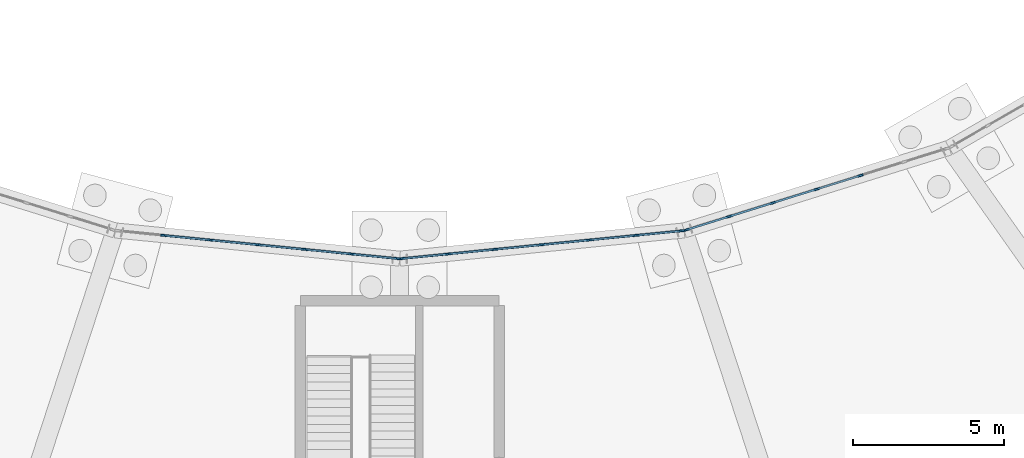
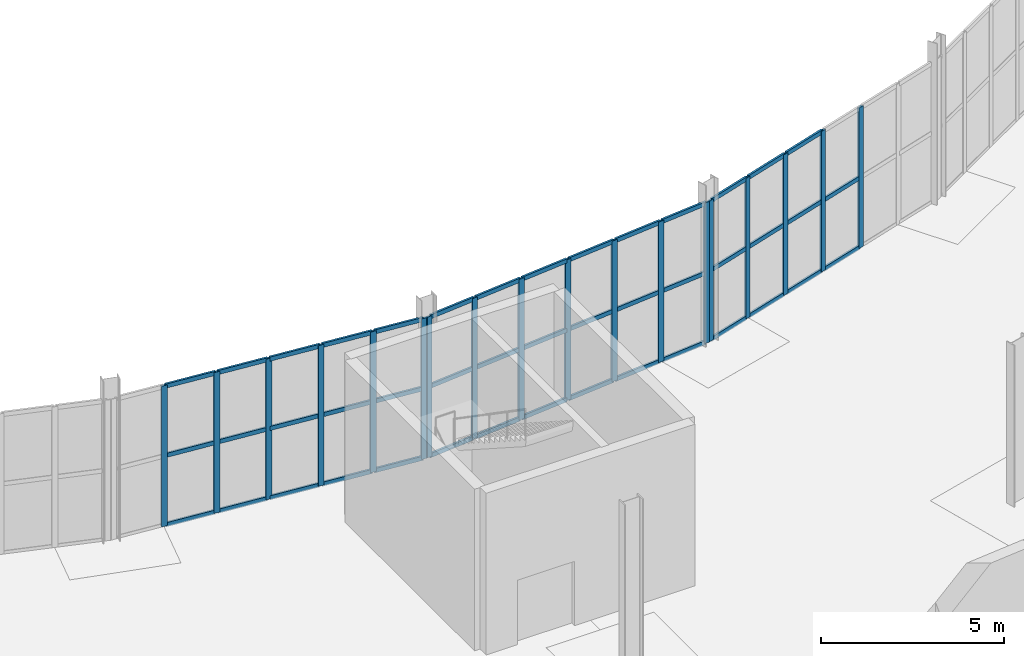
# One storey, part 58 of 118: 62 members, 3 elements without a shape of their own.
"""IFC4 building model written with IfcOpenShell, lengths in metres."""

from ifc_helpers import new_model, si_unit, direction, frame, origin, origin_2d, place, context, subcontext, project, spatial, rectangle, extrude, material, material_profile, profile_set, type_object, element, aggregate, save


model = new_model("IFC4")

# Units and contexts
model_context = context("Model", 3, precision=1e-05, world=origin(), true_north=direction((0.0, 1.0)))
body_context = subcontext(model_context, "Body", "Model", "MODEL_VIEW")
ifc_project = project(units=[si_unit("LENGTHUNIT", "METRE"), si_unit("AREAUNIT", "SQUARE_METRE"), si_unit("VOLUMEUNIT", "CUBIC_METRE"), si_unit("PLANEANGLEUNIT", "RADIAN"), si_unit("MASSUNIT", "GRAM", prefix="KILO")], contexts=[model_context])

# Site, building, storey
site_placement = place(None, origin())
site = spatial("IfcSite", under=ifc_project, at=site_placement, CompositionType="ELEMENT")
building_placement = place(site_placement, origin())
building = spatial("IfcBuilding", under=site, at=building_placement, Name="Kildeholm Park Wholesale Market", CompositionType="ELEMENT")
storey_placement = place(building_placement, origin())
storey = spatial("IfcBuildingStorey", under=building, at=storey_placement, Name="L00", CompositionType="ELEMENT", Elevation=0.0)

# Curtain wall, members
ifc_material_1 = material(Name="Anodised aluminium and low-E double-glazed glass", Category="aluminium")
curtain_wall_type = type_object("IfcCurtainWallType", Name="Market hall glazed arcade stick curtain wall CW-01", PredefinedType="NOTDEFINED", material=ifc_material_1)
curtain_wall_1_placement = place(storey_placement, origin())
curtain_wall_1 = element("IfcCurtainWall", 1, at=curtain_wall_1_placement, inside=storey, type_object=curtain_wall_type, Name="Curtain wall CW-V1-IN0-17 CW-0086", PredefinedType="NOTDEFINED")
ifc_material_2 = material(Name="Anodised aluminium", Category="aluminium")
ifc_material_profile_1 = material_profile(ifc_material_2, rectangle(XDim=0.06494140625, YDim=0.179931640625, at=origin_2d()), Name="CWM 65x180")
ifc_profile_set_1 = profile_set([ifc_material_profile_1], Name="Anodised aluminium")
member_type_1 = type_object("IfcMemberType", Name="Curtain-wall mullion CWM-1 CWM 65x180", PredefinedType="MULLION", material=ifc_profile_set_1)
member_1_placement = place(storey_placement, frame((91.1533203125, 62.774169921875, 0.0), z_axis=(0.0, 0.0, 1.0), x_axis=(0.098683331174, 0.995118887444, 0.0)))
member_1 = element("IfcMember", 2, at=member_1_placement, type_object=member_type_1, Name="CW-01 mullion 2 MEM-2748", PredefinedType="MULLION", context=body_context, shape_type="SweptSolid", body=[
    extrude(rectangle(XDim=0.06494140625, YDim=0.179931640625, at=origin_2d()), origin(), (0.0, 0.0, 1.0), 4.699951171875),
])
member_2_placement = place(storey_placement, frame((92.714599609375, 62.619384765625, 0.0), z_axis=(0.0, 0.0, 1.0), x_axis=(0.098683331174, 0.995118887444, 0.0)))
member_2 = element("IfcMember", 3, at=member_2_placement, type_object=member_type_1, Name="CW-01 mullion 3 MEM-2749", PredefinedType="MULLION", context=body_context, shape_type="SweptSolid", body=[
    extrude(rectangle(XDim=0.06494140625, YDim=0.179931640625, at=origin_2d()), origin(), (0.0, 0.0, 1.0), 4.699951171875),
])
member_3_placement = place(storey_placement, frame((94.27587890625, 62.464599609375, 0.0), z_axis=(0.0, 0.0, 1.0), x_axis=(0.098683331174, 0.995118887444, 0.0)))
member_3 = element("IfcMember", 4, at=member_3_placement, type_object=member_type_1, Name="CW-01 mullion 4 MEM-2750", PredefinedType="MULLION", context=body_context, shape_type="SweptSolid", body=[
    extrude(rectangle(XDim=0.06494140625, YDim=0.179931640625, at=origin_2d()), origin(), (0.0, 0.0, 1.0), 4.699951171875),
])
member_4_placement = place(storey_placement, frame((95.83740234375, 62.3095703125, 0.0), z_axis=(0.0, 0.0, 1.0), x_axis=(0.098683331174, 0.995118887444, 0.0)))
member_4 = element("IfcMember", 5, at=member_4_placement, type_object=member_type_1, Name="CW-01 mullion 5 MEM-2751", PredefinedType="MULLION", context=body_context, shape_type="SweptSolid", body=[
    extrude(rectangle(XDim=0.06494140625, YDim=0.179931640625, at=origin_2d()), origin(), (0.0, 0.0, 1.0), 4.699951171875),
])
member_5_placement = place(storey_placement, frame((97.398681640625, 62.15478515625, 0.0), z_axis=(0.0, 0.0, 1.0), x_axis=(0.098683331174, 0.995118887444, 0.0)))
member_5 = element("IfcMember", 6, at=member_5_placement, type_object=member_type_1, Name="CW-01 mullion 6 MEM-2752", PredefinedType="MULLION", context=body_context, shape_type="SweptSolid", body=[
    extrude(rectangle(XDim=0.06494140625, YDim=0.179931640625, at=origin_2d()), origin(), (0.0, 0.0, 1.0), 4.699951171875),
])
member_6_placement = place(storey_placement, frame((98.927734375, 62.003173828125, 0.0), z_axis=(0.0, 0.0, 1.0), x_axis=(0.098683331174, 0.995118887444, 0.0)))
member_6 = element("IfcMember", 7, at=member_6_placement, type_object=member_type_1, Name="CW-01 mullion 7 MEM-2753", PredefinedType="MULLION", context=body_context, shape_type="SweptSolid", body=[
    extrude(rectangle(XDim=0.06494140625, YDim=0.179931640625, at=origin_2d()), origin(), (0.0, 0.0, 1.0), 4.699951171875),
])

curtain_wall_2_placement = place(storey_placement, origin())
curtain_wall_2 = element("IfcCurtainWall", 8, at=curtain_wall_2_placement, inside=storey, type_object=curtain_wall_type, Name="Curtain wall CW-V1-IN0-18 CW-0091", PredefinedType="NOTDEFINED")
member_7_placement = place(storey_placement, frame((99.072265625, 62.003173828125, 0.0), z_axis=(0.0, 0.0, 1.0), x_axis=(-0.098683331174, 0.995118887444, 0.0)))
member_7 = element("IfcMember", 9, at=member_7_placement, type_object=member_type_1, Name="CW-01 mullion 1 MEM-2900", PredefinedType="MULLION", context=body_context, shape_type="SweptSolid", body=[
    extrude(rectangle(XDim=0.06494140625, YDim=0.179931640625, at=origin_2d()), origin(), (0.0, 0.0, 1.0), 4.699951171875),
])
member_8_placement = place(storey_placement, frame((100.601318359375, 62.15478515625, 0.0), z_axis=(0.0, 0.0, 1.0), x_axis=(-0.098683331174, 0.995118887444, 0.0)))
member_8 = element("IfcMember", 10, at=member_8_placement, type_object=member_type_1, Name="CW-01 mullion 2 MEM-2901", PredefinedType="MULLION", context=body_context, shape_type="SweptSolid", body=[
    extrude(rectangle(XDim=0.06494140625, YDim=0.179931640625, at=origin_2d()), origin(), (0.0, 0.0, 1.0), 4.699951171875),
])
member_9_placement = place(storey_placement, frame((102.16259765625, 62.3095703125, 0.0), z_axis=(0.0, 0.0, 1.0), x_axis=(-0.098683331174, 0.995118887444, 0.0)))
member_9 = element("IfcMember", 11, at=member_9_placement, type_object=member_type_1, Name="CW-01 mullion 3 MEM-2902", PredefinedType="MULLION", context=body_context, shape_type="SweptSolid", body=[
    extrude(rectangle(XDim=0.06494140625, YDim=0.179931640625, at=origin_2d()), origin(), (0.0, 0.0, 1.0), 4.699951171875),
])
member_10_placement = place(storey_placement, frame((103.72412109375, 62.464599609375, 0.0), z_axis=(0.0, 0.0, 1.0), x_axis=(-0.098683331174, 0.995118887444, 0.0)))
member_10 = element("IfcMember", 12, at=member_10_placement, type_object=member_type_1, Name="CW-01 mullion 4 MEM-2903", PredefinedType="MULLION", context=body_context, shape_type="SweptSolid", body=[
    extrude(rectangle(XDim=0.06494140625, YDim=0.179931640625, at=origin_2d()), origin(), (0.0, 0.0, 1.0), 4.699951171875),
])
member_11_placement = place(storey_placement, frame((105.285400390625, 62.619384765625, 0.0), z_axis=(0.0, 0.0, 1.0), x_axis=(-0.098683331174, 0.995118887444, 0.0)))
member_11 = element("IfcMember", 13, at=member_11_placement, type_object=member_type_1, Name="CW-01 mullion 5 MEM-2904", PredefinedType="MULLION", context=body_context, shape_type="SweptSolid", body=[
    extrude(rectangle(XDim=0.06494140625, YDim=0.179931640625, at=origin_2d()), origin(), (0.0, 0.0, 1.0), 4.699951171875),
])
member_12_placement = place(storey_placement, frame((106.8466796875, 62.774169921875, 0.0), z_axis=(0.0, 0.0, 1.0), x_axis=(-0.098683331174, 0.995118887444, 0.0)))
member_12 = element("IfcMember", 14, at=member_12_placement, type_object=member_type_1, Name="CW-01 mullion 6 MEM-2905", PredefinedType="MULLION", context=body_context, shape_type="SweptSolid", body=[
    extrude(rectangle(XDim=0.06494140625, YDim=0.179931640625, at=origin_2d()), origin(), (0.0, 0.0, 1.0), 4.699951171875),
])
member_13_placement = place(storey_placement, frame((108.375732421875, 62.92578125, 0.0), z_axis=(0.0, 0.0, 1.0), x_axis=(-0.098683331174, 0.995118887444, 0.0)))
member_13 = element("IfcMember", 15, at=member_13_placement, type_object=member_type_1, Name="CW-01 mullion 7 MEM-2906", PredefinedType="MULLION", context=body_context, shape_type="SweptSolid", body=[
    extrude(rectangle(XDim=0.06494140625, YDim=0.179931640625, at=origin_2d()), origin(), (0.0, 0.0, 1.0), 4.699951171875),
])

curtain_wall_3_placement = place(storey_placement, origin())
curtain_wall_3 = element("IfcCurtainWall", 16, at=curtain_wall_3_placement, inside=storey, type_object=curtain_wall_type, Name="Curtain wall CW-V1-IN0-19 CW-0096", PredefinedType="NOTDEFINED")
member_14_placement = place(storey_placement, frame((108.51806640625, 62.95458984375, 0.0), z_axis=(0.0, 0.0, 1.0), x_axis=(-0.297957339818, 0.954579186683, 0.0)))
member_14 = element("IfcMember", 17, at=member_14_placement, type_object=member_type_1, Name="CW-01 mullion 1 MEM-3049", PredefinedType="MULLION", context=body_context, shape_type="SweptSolid", body=[
    extrude(rectangle(XDim=0.06494140625, YDim=0.179931640625, at=origin_2d()), origin(), (0.0, 0.0, 1.0), 4.699951171875),
])
member_15_placement = place(storey_placement, frame((109.94140625, 63.39892578125, 0.0), z_axis=(0.0, 0.0, 1.0), x_axis=(-0.297957339818, 0.954579186683, 0.0)))
member_15 = element("IfcMember", 18, at=member_15_placement, type_object=member_type_1, Name="CW-01 mullion 2 MEM-3050", PredefinedType="MULLION", context=body_context, shape_type="SweptSolid", body=[
    extrude(rectangle(XDim=0.06494140625, YDim=0.179931640625, at=origin_2d()), origin(), (0.0, 0.0, 1.0), 4.699951171875),
])
member_16_placement = place(storey_placement, frame((111.39599609375, 63.85302734375, 0.0), z_axis=(0.0, 0.0, 1.0), x_axis=(-0.297957339818, 0.954579186683, 0.0)))
member_16 = element("IfcMember", 19, at=member_16_placement, type_object=member_type_1, Name="CW-01 mullion 3 MEM-3051", PredefinedType="MULLION", context=body_context, shape_type="SweptSolid", body=[
    extrude(rectangle(XDim=0.06494140625, YDim=0.179931640625, at=origin_2d()), origin(), (0.0, 0.0, 1.0), 4.699951171875),
])
member_17_placement = place(storey_placement, frame((112.8505859375, 64.306884765625, 0.0), z_axis=(0.0, 0.0, 1.0), x_axis=(-0.297957339818, 0.954579186683, 0.0)))
member_17 = element("IfcMember", 20, at=member_17_placement, type_object=member_type_1, Name="CW-01 mullion 4 MEM-3052", PredefinedType="MULLION", context=body_context, shape_type="SweptSolid", body=[
    extrude(rectangle(XDim=0.06494140625, YDim=0.179931640625, at=origin_2d()), origin(), (0.0, 0.0, 1.0), 4.699951171875),
])
member_18_placement = place(storey_placement, frame((114.304931640625, 64.760986328125, 0.0), z_axis=(0.0, 0.0, 1.0), x_axis=(-0.297957339818, 0.954579186683, 0.0)))
member_18 = element("IfcMember", 21, at=member_18_placement, type_object=member_type_1, Name="CW-01 mullion 5 MEM-3053", PredefinedType="MULLION", context=body_context, shape_type="SweptSolid", body=[
    extrude(rectangle(XDim=0.06494140625, YDim=0.179931640625, at=origin_2d()), origin(), (0.0, 0.0, 1.0), 4.699951171875),
])

# Member
ifc_material_profile_2 = material_profile(ifc_material_2, rectangle(XDim=0.06494140625, YDim=0.139892578125, at=origin_2d()), Name="CWT 65x140")
ifc_profile_set_2 = profile_set([ifc_material_profile_2], Name="Anodised aluminium")
member_type_2 = type_object("IfcMemberType", Name="Curtain-wall transom CWT-1 CWT 65x140", PredefinedType="USERDEFINED", material=ifc_profile_set_2)
member_19_placement = place(storey_placement, frame((91.185791015625, 62.77099609375, 0.032470703125), z_axis=(0.995117229838, -0.098700044982, 0.0), x_axis=(0.098700044982, 0.995117229838, 0.0)))
member_19 = element("IfcMember", 22, at=member_19_placement, type_object=member_type_2, Name="CW-01 transom 2.1 MEM-2757", ObjectType="TRANSOM", PredefinedType="USERDEFINED", context=body_context, shape_type="SweptSolid", body=[
    extrude(rectangle(XDim=0.06494140625, YDim=0.139892578125, at=origin_2d()), origin(), (0.0, 0.0, 1.0), 1.50390625),
])

member_20_placement = place(storey_placement, frame((91.185791015625, 62.77099609375, 2.35009765625), z_axis=(0.995117229838, -0.098700044982, 0.0), x_axis=(0.098700044982, 0.995117229838, 0.0)))
member_20 = element("IfcMember", 23, at=member_20_placement, type_object=member_type_2, Name="CW-01 transom 2.2 MEM-2758", ObjectType="TRANSOM", PredefinedType="USERDEFINED", context=body_context, shape_type="SweptSolid", body=[
    extrude(rectangle(XDim=0.06494140625, YDim=0.139892578125, at=origin_2d()), origin(), (0.0, 0.0, 1.0), 1.50390625),
])

member_21_placement = place(storey_placement, frame((91.185791015625, 62.77099609375, 4.66748046875), z_axis=(0.995117229838, -0.098700044982, 0.0), x_axis=(0.098700044982, 0.995117229838, 0.0)))
member_21 = element("IfcMember", 24, at=member_21_placement, type_object=member_type_2, Name="CW-01 transom 2.3 MEM-2759", ObjectType="TRANSOM", PredefinedType="USERDEFINED", context=body_context, shape_type="SweptSolid", body=[
    extrude(rectangle(XDim=0.06494140625, YDim=0.139892578125, at=origin_2d()), origin(), (0.0, 0.0, 1.0), 1.50390625),
])

member_22_placement = place(storey_placement, frame((92.7470703125, 62.6162109375, 0.032470703125), z_axis=(0.995117229838, -0.098700044982, 0.0), x_axis=(0.098700044982, 0.995117229838, 0.0)))
member_22 = element("IfcMember", 25, at=member_22_placement, type_object=member_type_2, Name="CW-01 transom 3.1 MEM-2760", ObjectType="TRANSOM", PredefinedType="USERDEFINED", context=body_context, shape_type="SweptSolid", body=[
    extrude(rectangle(XDim=0.06494140625, YDim=0.139892578125, at=origin_2d()), origin(), (0.0, 0.0, 1.0), 1.50390625),
])

member_23_placement = place(storey_placement, frame((92.7470703125, 62.6162109375, 2.35009765625), z_axis=(0.995117229838, -0.098700044982, 0.0), x_axis=(0.098700044982, 0.995117229838, 0.0)))
member_23 = element("IfcMember", 26, at=member_23_placement, type_object=member_type_2, Name="CW-01 transom 3.2 MEM-2761", ObjectType="TRANSOM", PredefinedType="USERDEFINED", context=body_context, shape_type="SweptSolid", body=[
    extrude(rectangle(XDim=0.06494140625, YDim=0.139892578125, at=origin_2d()), origin(), (0.0, 0.0, 1.0), 1.50390625),
])

member_24_placement = place(storey_placement, frame((92.7470703125, 62.6162109375, 4.66748046875), z_axis=(0.995117229838, -0.098700044982, 0.0), x_axis=(0.098700044982, 0.995117229838, 0.0)))
member_24 = element("IfcMember", 27, at=member_24_placement, type_object=member_type_2, Name="CW-01 transom 3.3 MEM-2762", ObjectType="TRANSOM", PredefinedType="USERDEFINED", context=body_context, shape_type="SweptSolid", body=[
    extrude(rectangle(XDim=0.06494140625, YDim=0.139892578125, at=origin_2d()), origin(), (0.0, 0.0, 1.0), 1.50390625),
])

member_25_placement = place(storey_placement, frame((94.308349609375, 62.461181640625, 0.032470703125), z_axis=(0.995133161405, -0.098539286945, 0.0), x_axis=(0.098539286945, 0.995133161405, 0.0)))
member_25 = element("IfcMember", 28, at=member_25_placement, type_object=member_type_2, Name="CW-01 transom 4.1 MEM-2763", ObjectType="TRANSOM", PredefinedType="USERDEFINED", context=body_context, shape_type="SweptSolid", body=[
    extrude(rectangle(XDim=0.06494140625, YDim=0.139892578125, at=origin_2d()), origin(), (0.0, 0.0, 1.0), 1.50390625),
])

member_26_placement = place(storey_placement, frame((94.308349609375, 62.461181640625, 2.35009765625), z_axis=(0.995133161405, -0.098539286945, 0.0), x_axis=(0.098539286945, 0.995133161405, 0.0)))
member_26 = element("IfcMember", 29, at=member_26_placement, type_object=member_type_2, Name="CW-01 transom 4.2 MEM-2764", ObjectType="TRANSOM", PredefinedType="USERDEFINED", context=body_context, shape_type="SweptSolid", body=[
    extrude(rectangle(XDim=0.06494140625, YDim=0.139892578125, at=origin_2d()), origin(), (0.0, 0.0, 1.0), 1.50390625),
])

member_27_placement = place(storey_placement, frame((94.308349609375, 62.461181640625, 4.66748046875), z_axis=(0.995133161405, -0.098539286945, 0.0), x_axis=(0.098539286945, 0.995133161405, 0.0)))
member_27 = element("IfcMember", 30, at=member_27_placement, type_object=member_type_2, Name="CW-01 transom 4.3 MEM-2765", ObjectType="TRANSOM", PredefinedType="USERDEFINED", context=body_context, shape_type="SweptSolid", body=[
    extrude(rectangle(XDim=0.06494140625, YDim=0.139892578125, at=origin_2d()), origin(), (0.0, 0.0, 1.0), 1.50390625),
])

member_28_placement = place(storey_placement, frame((95.86962890625, 62.306396484375, 0.032470703125), z_axis=(0.995117229838, -0.098700044982, 0.0), x_axis=(0.098700044982, 0.995117229838, 0.0)))
member_28 = element("IfcMember", 31, at=member_28_placement, type_object=member_type_2, Name="CW-01 transom 5.1 MEM-2766", ObjectType="TRANSOM", PredefinedType="USERDEFINED", context=body_context, shape_type="SweptSolid", body=[
    extrude(rectangle(XDim=0.06494140625, YDim=0.139892578125, at=origin_2d()), origin(), (0.0, 0.0, 1.0), 1.50390625),
])

member_29_placement = place(storey_placement, frame((95.86962890625, 62.306396484375, 2.35009765625), z_axis=(0.995117229838, -0.098700044982, 0.0), x_axis=(0.098700044982, 0.995117229838, 0.0)))
member_29 = element("IfcMember", 32, at=member_29_placement, type_object=member_type_2, Name="CW-01 transom 5.2 MEM-2767", ObjectType="TRANSOM", PredefinedType="USERDEFINED", context=body_context, shape_type="SweptSolid", body=[
    extrude(rectangle(XDim=0.06494140625, YDim=0.139892578125, at=origin_2d()), origin(), (0.0, 0.0, 1.0), 1.50390625),
])

member_30_placement = place(storey_placement, frame((95.86962890625, 62.306396484375, 4.66748046875), z_axis=(0.995117229838, -0.098700044982, 0.0), x_axis=(0.098700044982, 0.995117229838, 0.0)))
member_30 = element("IfcMember", 33, at=member_30_placement, type_object=member_type_2, Name="CW-01 transom 5.3 MEM-2768", ObjectType="TRANSOM", PredefinedType="USERDEFINED", context=body_context, shape_type="SweptSolid", body=[
    extrude(rectangle(XDim=0.06494140625, YDim=0.139892578125, at=origin_2d()), origin(), (0.0, 0.0, 1.0), 1.50390625),
])

member_31_placement = place(storey_placement, frame((97.430908203125, 62.151611328125, 0.032470703125), z_axis=(0.995115725144, -0.098715214482, 0.0), x_axis=(0.098715214482, 0.995115725144, 0.0)))
member_31 = element("IfcMember", 34, at=member_31_placement, type_object=member_type_2, Name="CW-01 transom 6.1 MEM-2769", ObjectType="TRANSOM", PredefinedType="USERDEFINED", context=body_context, shape_type="SweptSolid", body=[
    extrude(rectangle(XDim=0.06494140625, YDim=0.139892578125, at=origin_2d()), origin(), (0.0, 0.0, 1.0), 1.471435546875),
])

member_32_placement = place(storey_placement, frame((97.430908203125, 62.151611328125, 2.35009765625), z_axis=(0.995115725144, -0.098715214482, 0.0), x_axis=(0.098715214482, 0.995115725144, 0.0)))
member_32 = element("IfcMember", 35, at=member_32_placement, type_object=member_type_2, Name="CW-01 transom 6.2 MEM-2770", ObjectType="TRANSOM", PredefinedType="USERDEFINED", context=body_context, shape_type="SweptSolid", body=[
    extrude(rectangle(XDim=0.06494140625, YDim=0.139892578125, at=origin_2d()), origin(), (0.0, 0.0, 1.0), 1.471435546875),
])

member_33_placement = place(storey_placement, frame((97.430908203125, 62.151611328125, 4.66748046875), z_axis=(0.995115725144, -0.098715214482, 0.0), x_axis=(0.098715214482, 0.995115725144, 0.0)))
member_33 = element("IfcMember", 36, at=member_33_placement, type_object=member_type_2, Name="CW-01 transom 6.3 MEM-2771", ObjectType="TRANSOM", PredefinedType="USERDEFINED", context=body_context, shape_type="SweptSolid", body=[
    extrude(rectangle(XDim=0.06494140625, YDim=0.139892578125, at=origin_2d()), origin(), (0.0, 0.0, 1.0), 1.471435546875),
])

aggregate(curtain_wall_1, [member_1, member_2, member_3, member_4, member_5, member_6, member_19, member_20, member_21, member_22, member_23, member_24, member_25, member_26, member_27, member_28, member_29, member_30, member_31, member_32, member_33])

member_34_placement = place(storey_placement, frame((99.104736328125, 62.00634765625, 0.032470703125), z_axis=(0.995115725144, 0.098715214482, 0.0), x_axis=(-0.098715214482, 0.995115725144, 0.0)))
member_34 = element("IfcMember", 37, at=member_34_placement, type_object=member_type_2, Name="CW-01 transom 1.1 MEM-2907", ObjectType="TRANSOM", PredefinedType="USERDEFINED", context=body_context, shape_type="SweptSolid", body=[
    extrude(rectangle(XDim=0.06494140625, YDim=0.139892578125, at=origin_2d()), origin(), (0.0, 0.0, 1.0), 1.471435546875),
])

member_35_placement = place(storey_placement, frame((99.104736328125, 62.00634765625, 2.35009765625), z_axis=(0.995115725144, 0.098715214482, 0.0), x_axis=(-0.098715214482, 0.995115725144, 0.0)))
member_35 = element("IfcMember", 38, at=member_35_placement, type_object=member_type_2, Name="CW-01 transom 1.2 MEM-2908", ObjectType="TRANSOM", PredefinedType="USERDEFINED", context=body_context, shape_type="SweptSolid", body=[
    extrude(rectangle(XDim=0.06494140625, YDim=0.139892578125, at=origin_2d()), origin(), (0.0, 0.0, 1.0), 1.471435546875),
])

member_36_placement = place(storey_placement, frame((99.104736328125, 62.00634765625, 4.66748046875), z_axis=(0.995115725144, 0.098715214482, 0.0), x_axis=(-0.098715214482, 0.995115725144, 0.0)))
member_36 = element("IfcMember", 39, at=member_36_placement, type_object=member_type_2, Name="CW-01 transom 1.3 MEM-2909", ObjectType="TRANSOM", PredefinedType="USERDEFINED", context=body_context, shape_type="SweptSolid", body=[
    extrude(rectangle(XDim=0.06494140625, YDim=0.139892578125, at=origin_2d()), origin(), (0.0, 0.0, 1.0), 1.471435546875),
])

member_37_placement = place(storey_placement, frame((100.6337890625, 62.157958984375, 0.032470703125), z_axis=(0.995117229838, 0.098700044982, 0.0), x_axis=(-0.098700044982, 0.995117229838, 0.0)))
member_37 = element("IfcMember", 40, at=member_37_placement, type_object=member_type_2, Name="CW-01 transom 2.1 MEM-2910", ObjectType="TRANSOM", PredefinedType="USERDEFINED", context=body_context, shape_type="SweptSolid", body=[
    extrude(rectangle(XDim=0.06494140625, YDim=0.139892578125, at=origin_2d()), origin(), (0.0, 0.0, 1.0), 1.50390625),
])

member_38_placement = place(storey_placement, frame((100.6337890625, 62.157958984375, 2.35009765625), z_axis=(0.995117229838, 0.098700044982, 0.0), x_axis=(-0.098700044982, 0.995117229838, 0.0)))
member_38 = element("IfcMember", 41, at=member_38_placement, type_object=member_type_2, Name="CW-01 transom 2.2 MEM-2911", ObjectType="TRANSOM", PredefinedType="USERDEFINED", context=body_context, shape_type="SweptSolid", body=[
    extrude(rectangle(XDim=0.06494140625, YDim=0.139892578125, at=origin_2d()), origin(), (0.0, 0.0, 1.0), 1.50390625),
])

member_39_placement = place(storey_placement, frame((100.6337890625, 62.157958984375, 4.66748046875), z_axis=(0.995117229838, 0.098700044982, 0.0), x_axis=(-0.098700044982, 0.995117229838, 0.0)))
member_39 = element("IfcMember", 42, at=member_39_placement, type_object=member_type_2, Name="CW-01 transom 2.3 MEM-2912", ObjectType="TRANSOM", PredefinedType="USERDEFINED", context=body_context, shape_type="SweptSolid", body=[
    extrude(rectangle(XDim=0.06494140625, YDim=0.139892578125, at=origin_2d()), origin(), (0.0, 0.0, 1.0), 1.50390625),
])

member_40_placement = place(storey_placement, frame((102.195068359375, 62.31298828125, 0.032470703125), z_axis=(0.995133161405, 0.098539286945, 0.0), x_axis=(-0.098539286945, 0.995133161405, 0.0)))
member_40 = element("IfcMember", 43, at=member_40_placement, type_object=member_type_2, Name="CW-01 transom 3.1 MEM-2913", ObjectType="TRANSOM", PredefinedType="USERDEFINED", context=body_context, shape_type="SweptSolid", body=[
    extrude(rectangle(XDim=0.06494140625, YDim=0.139892578125, at=origin_2d()), origin(), (0.0, 0.0, 1.0), 1.50390625),
])

member_41_placement = place(storey_placement, frame((102.195068359375, 62.31298828125, 2.35009765625), z_axis=(0.995133161405, 0.098539286945, 0.0), x_axis=(-0.098539286945, 0.995133161405, 0.0)))
member_41 = element("IfcMember", 44, at=member_41_placement, type_object=member_type_2, Name="CW-01 transom 3.2 MEM-2914", ObjectType="TRANSOM", PredefinedType="USERDEFINED", context=body_context, shape_type="SweptSolid", body=[
    extrude(rectangle(XDim=0.06494140625, YDim=0.139892578125, at=origin_2d()), origin(), (0.0, 0.0, 1.0), 1.50390625),
])

member_42_placement = place(storey_placement, frame((102.195068359375, 62.31298828125, 4.66748046875), z_axis=(0.995133161405, 0.098539286945, 0.0), x_axis=(-0.098539286945, 0.995133161405, 0.0)))
member_42 = element("IfcMember", 45, at=member_42_placement, type_object=member_type_2, Name="CW-01 transom 3.3 MEM-2915", ObjectType="TRANSOM", PredefinedType="USERDEFINED", context=body_context, shape_type="SweptSolid", body=[
    extrude(rectangle(XDim=0.06494140625, YDim=0.139892578125, at=origin_2d()), origin(), (0.0, 0.0, 1.0), 1.50390625),
])

member_43_placement = place(storey_placement, frame((103.75634765625, 62.4677734375, 0.032470703125), z_axis=(0.995117229838, 0.098700044982, 0.0), x_axis=(-0.098700044982, 0.995117229838, 0.0)))
member_43 = element("IfcMember", 46, at=member_43_placement, type_object=member_type_2, Name="CW-01 transom 4.1 MEM-2916", ObjectType="TRANSOM", PredefinedType="USERDEFINED", context=body_context, shape_type="SweptSolid", body=[
    extrude(rectangle(XDim=0.06494140625, YDim=0.139892578125, at=origin_2d()), origin(), (0.0, 0.0, 1.0), 1.50390625),
])

member_44_placement = place(storey_placement, frame((103.75634765625, 62.4677734375, 2.35009765625), z_axis=(0.995117229838, 0.098700044982, 0.0), x_axis=(-0.098700044982, 0.995117229838, 0.0)))
member_44 = element("IfcMember", 47, at=member_44_placement, type_object=member_type_2, Name="CW-01 transom 4.2 MEM-2917", ObjectType="TRANSOM", PredefinedType="USERDEFINED", context=body_context, shape_type="SweptSolid", body=[
    extrude(rectangle(XDim=0.06494140625, YDim=0.139892578125, at=origin_2d()), origin(), (0.0, 0.0, 1.0), 1.50390625),
])

member_45_placement = place(storey_placement, frame((103.75634765625, 62.4677734375, 4.66748046875), z_axis=(0.995117229838, 0.098700044982, 0.0), x_axis=(-0.098700044982, 0.995117229838, 0.0)))
member_45 = element("IfcMember", 48, at=member_45_placement, type_object=member_type_2, Name="CW-01 transom 4.3 MEM-2918", ObjectType="TRANSOM", PredefinedType="USERDEFINED", context=body_context, shape_type="SweptSolid", body=[
    extrude(rectangle(XDim=0.06494140625, YDim=0.139892578125, at=origin_2d()), origin(), (0.0, 0.0, 1.0), 1.50390625),
])

member_46_placement = place(storey_placement, frame((105.317626953125, 62.62255859375, 0.032470703125), z_axis=(0.995117229838, 0.098700044982, 0.0), x_axis=(-0.098700044982, 0.995117229838, 0.0)))
member_46 = element("IfcMember", 49, at=member_46_placement, type_object=member_type_2, Name="CW-01 transom 5.1 MEM-2919", ObjectType="TRANSOM", PredefinedType="USERDEFINED", context=body_context, shape_type="SweptSolid", body=[
    extrude(rectangle(XDim=0.06494140625, YDim=0.139892578125, at=origin_2d()), origin(), (0.0, 0.0, 1.0), 1.50390625),
])

member_47_placement = place(storey_placement, frame((105.317626953125, 62.62255859375, 2.35009765625), z_axis=(0.995117229838, 0.098700044982, 0.0), x_axis=(-0.098700044982, 0.995117229838, 0.0)))
member_47 = element("IfcMember", 50, at=member_47_placement, type_object=member_type_2, Name="CW-01 transom 5.2 MEM-2920", ObjectType="TRANSOM", PredefinedType="USERDEFINED", context=body_context, shape_type="SweptSolid", body=[
    extrude(rectangle(XDim=0.06494140625, YDim=0.139892578125, at=origin_2d()), origin(), (0.0, 0.0, 1.0), 1.50390625),
])

member_48_placement = place(storey_placement, frame((105.317626953125, 62.62255859375, 4.66748046875), z_axis=(0.995117229838, 0.098700044982, 0.0), x_axis=(-0.098700044982, 0.995117229838, 0.0)))
member_48 = element("IfcMember", 51, at=member_48_placement, type_object=member_type_2, Name="CW-01 transom 5.3 MEM-2921", ObjectType="TRANSOM", PredefinedType="USERDEFINED", context=body_context, shape_type="SweptSolid", body=[
    extrude(rectangle(XDim=0.06494140625, YDim=0.139892578125, at=origin_2d()), origin(), (0.0, 0.0, 1.0), 1.50390625),
])

member_49_placement = place(storey_placement, frame((106.87890625, 62.77734375, 0.032470703125), z_axis=(0.995115725144, 0.098715214482, 0.0), x_axis=(-0.098715214482, 0.995115725144, 0.0)))
member_49 = element("IfcMember", 52, at=member_49_placement, type_object=member_type_2, Name="CW-01 transom 6.1 MEM-2922", ObjectType="TRANSOM", PredefinedType="USERDEFINED", context=body_context, shape_type="SweptSolid", body=[
    extrude(rectangle(XDim=0.06494140625, YDim=0.139892578125, at=origin_2d()), origin(), (0.0, 0.0, 1.0), 1.471435546875),
])

member_50_placement = place(storey_placement, frame((106.87890625, 62.77734375, 2.35009765625), z_axis=(0.995115725144, 0.098715214482, 0.0), x_axis=(-0.098715214482, 0.995115725144, 0.0)))
member_50 = element("IfcMember", 53, at=member_50_placement, type_object=member_type_2, Name="CW-01 transom 6.2 MEM-2923", ObjectType="TRANSOM", PredefinedType="USERDEFINED", context=body_context, shape_type="SweptSolid", body=[
    extrude(rectangle(XDim=0.06494140625, YDim=0.139892578125, at=origin_2d()), origin(), (0.0, 0.0, 1.0), 1.471435546875),
])

member_51_placement = place(storey_placement, frame((106.87890625, 62.77734375, 4.66748046875), z_axis=(0.995115725144, 0.098715214482, 0.0), x_axis=(-0.098715214482, 0.995115725144, 0.0)))
member_51 = element("IfcMember", 54, at=member_51_placement, type_object=member_type_2, Name="CW-01 transom 6.3 MEM-2924", ObjectType="TRANSOM", PredefinedType="USERDEFINED", context=body_context, shape_type="SweptSolid", body=[
    extrude(rectangle(XDim=0.06494140625, YDim=0.139892578125, at=origin_2d()), origin(), (0.0, 0.0, 1.0), 1.471435546875),
])

aggregate(curtain_wall_2, [member_7, member_8, member_9, member_10, member_11, member_12, member_13, member_34, member_35, member_36, member_37, member_38, member_39, member_40, member_41, member_42, member_43, member_44, member_45, member_46, member_47, member_48, member_49, member_50, member_51])

member_52_placement = place(storey_placement, frame((108.549072265625, 62.96435546875, 0.032470703125), z_axis=(0.954553055234, 0.298041045402, 0.0), x_axis=(-0.298041045402, 0.954553055234, 0.0)))
member_52 = element("IfcMember", 55, at=member_52_placement, type_object=member_type_2, Name="CW-01 transom 1.1 MEM-3056", ObjectType="TRANSOM", PredefinedType="USERDEFINED", context=body_context, shape_type="SweptSolid", body=[
    extrude(rectangle(XDim=0.06494140625, YDim=0.139892578125, at=origin_2d()), origin(), (0.0, 0.0, 1.0), 1.426025390625),
])

member_53_placement = place(storey_placement, frame((108.549072265625, 62.96435546875, 2.35009765625), z_axis=(0.954553055234, 0.298041045402, 0.0), x_axis=(-0.298041045402, 0.954553055234, 0.0)))
member_53 = element("IfcMember", 56, at=member_53_placement, type_object=member_type_2, Name="CW-01 transom 1.2 MEM-3057", ObjectType="TRANSOM", PredefinedType="USERDEFINED", context=body_context, shape_type="SweptSolid", body=[
    extrude(rectangle(XDim=0.06494140625, YDim=0.139892578125, at=origin_2d()), origin(), (0.0, 0.0, 1.0), 1.426025390625),
])

member_54_placement = place(storey_placement, frame((108.549072265625, 62.96435546875, 4.66748046875), z_axis=(0.954553055234, 0.298041045402, 0.0), x_axis=(-0.298041045402, 0.954553055234, 0.0)))
member_54 = element("IfcMember", 57, at=member_54_placement, type_object=member_type_2, Name="CW-01 transom 1.3 MEM-3058", ObjectType="TRANSOM", PredefinedType="USERDEFINED", context=body_context, shape_type="SweptSolid", body=[
    extrude(rectangle(XDim=0.06494140625, YDim=0.139892578125, at=origin_2d()), origin(), (0.0, 0.0, 1.0), 1.426025390625),
])

member_55_placement = place(storey_placement, frame((109.972412109375, 63.40869140625, 0.032470703125), z_axis=(0.954599016566, 0.297893802505, 0.0), x_axis=(-0.297893802505, 0.954599016566, 0.0)))
member_55 = element("IfcMember", 58, at=member_55_placement, type_object=member_type_2, Name="CW-01 transom 2.1 MEM-3059", ObjectType="TRANSOM", PredefinedType="USERDEFINED", context=body_context, shape_type="SweptSolid", body=[
    extrude(rectangle(XDim=0.06494140625, YDim=0.139892578125, at=origin_2d()), origin(), (0.0, 0.0, 1.0), 1.458740234375),
])

member_56_placement = place(storey_placement, frame((109.972412109375, 63.40869140625, 2.35009765625), z_axis=(0.954599016566, 0.297893802505, 0.0), x_axis=(-0.297893802505, 0.954599016566, 0.0)))
member_56 = element("IfcMember", 59, at=member_56_placement, type_object=member_type_2, Name="CW-01 transom 2.2 MEM-3060", ObjectType="TRANSOM", PredefinedType="USERDEFINED", context=body_context, shape_type="SweptSolid", body=[
    extrude(rectangle(XDim=0.06494140625, YDim=0.139892578125, at=origin_2d()), origin(), (0.0, 0.0, 1.0), 1.458740234375),
])

member_57_placement = place(storey_placement, frame((109.972412109375, 63.40869140625, 4.66748046875), z_axis=(0.954599016566, 0.297893802505, 0.0), x_axis=(-0.297893802505, 0.954599016566, 0.0)))
member_57 = element("IfcMember", 60, at=member_57_placement, type_object=member_type_2, Name="CW-01 transom 2.3 MEM-3061", ObjectType="TRANSOM", PredefinedType="USERDEFINED", context=body_context, shape_type="SweptSolid", body=[
    extrude(rectangle(XDim=0.06494140625, YDim=0.139892578125, at=origin_2d()), origin(), (0.0, 0.0, 1.0), 1.458740234375),
])

member_58_placement = place(storey_placement, frame((111.427001953125, 63.86279296875, 0.032470703125), z_axis=(0.954599016566, 0.297893802505, 0.0), x_axis=(-0.297893802505, 0.954599016566, 0.0)))
member_58 = element("IfcMember", 61, at=member_58_placement, type_object=member_type_2, Name="CW-01 transom 3.1 MEM-3062", ObjectType="TRANSOM", PredefinedType="USERDEFINED", context=body_context, shape_type="SweptSolid", body=[
    extrude(rectangle(XDim=0.06494140625, YDim=0.139892578125, at=origin_2d()), origin(), (0.0, 0.0, 1.0), 1.458740234375),
])

member_59_placement = place(storey_placement, frame((111.427001953125, 63.86279296875, 2.35009765625), z_axis=(0.954599016566, 0.297893802505, 0.0), x_axis=(-0.297893802505, 0.954599016566, 0.0)))
member_59 = element("IfcMember", 62, at=member_59_placement, type_object=member_type_2, Name="CW-01 transom 3.2 MEM-3063", ObjectType="TRANSOM", PredefinedType="USERDEFINED", context=body_context, shape_type="SweptSolid", body=[
    extrude(rectangle(XDim=0.06494140625, YDim=0.139892578125, at=origin_2d()), origin(), (0.0, 0.0, 1.0), 1.458740234375),
])

member_60_placement = place(storey_placement, frame((111.427001953125, 63.86279296875, 4.66748046875), z_axis=(0.954599016566, 0.297893802505, 0.0), x_axis=(-0.297893802505, 0.954599016566, 0.0)))
member_60 = element("IfcMember", 63, at=member_60_placement, type_object=member_type_2, Name="CW-01 transom 3.3 MEM-3064", ObjectType="TRANSOM", PredefinedType="USERDEFINED", context=body_context, shape_type="SweptSolid", body=[
    extrude(rectangle(XDim=0.06494140625, YDim=0.139892578125, at=origin_2d()), origin(), (0.0, 0.0, 1.0), 1.458740234375),
])

member_61_placement = place(storey_placement, frame((112.881591796875, 64.316650390625, 0.032470703125), z_axis=(0.954584161709, 0.297941400639, 0.0), x_axis=(-0.297941400639, 0.954584161709, 0.0)))
member_61 = element("IfcMember", 64, at=member_61_placement, type_object=member_type_2, Name="CW-01 transom 4.1 MEM-3065", ObjectType="TRANSOM", PredefinedType="USERDEFINED", context=body_context, shape_type="SweptSolid", body=[
    extrude(rectangle(XDim=0.06494140625, YDim=0.139892578125, at=origin_2d()), origin(), (0.0, 0.0, 1.0), 1.45849609375),
])

member_62_placement = place(storey_placement, frame((112.881591796875, 64.316650390625, 2.35009765625), z_axis=(0.954584161709, 0.297941400639, 0.0), x_axis=(-0.297941400639, 0.954584161709, 0.0)))
member_62 = element("IfcMember", 65, at=member_62_placement, type_object=member_type_2, Name="CW-01 transom 4.2 MEM-3066", ObjectType="TRANSOM", PredefinedType="USERDEFINED", context=body_context, shape_type="SweptSolid", body=[
    extrude(rectangle(XDim=0.06494140625, YDim=0.139892578125, at=origin_2d()), origin(), (0.0, 0.0, 1.0), 1.45849609375),
])

aggregate(curtain_wall_3, [member_14, member_15, member_16, member_17, member_18, member_52, member_53, member_54, member_55, member_56, member_57, member_58, member_59, member_60, member_61, member_62])

save(model, "model.ifc")
